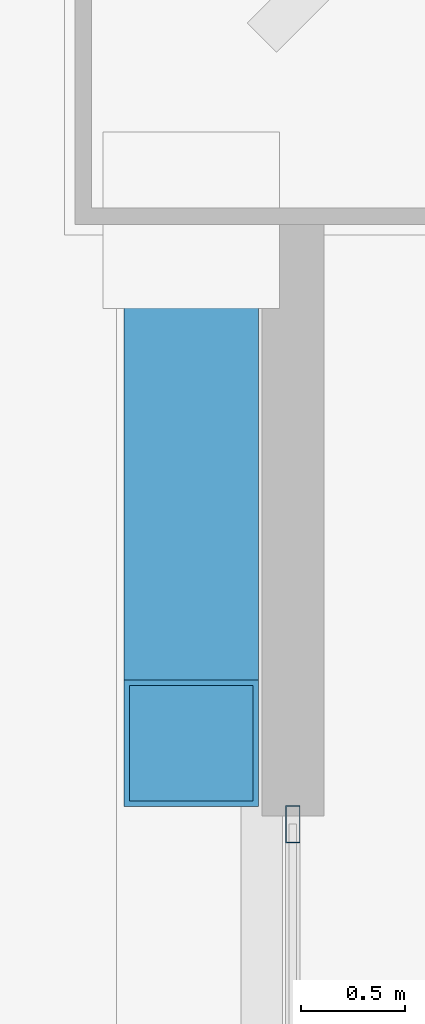
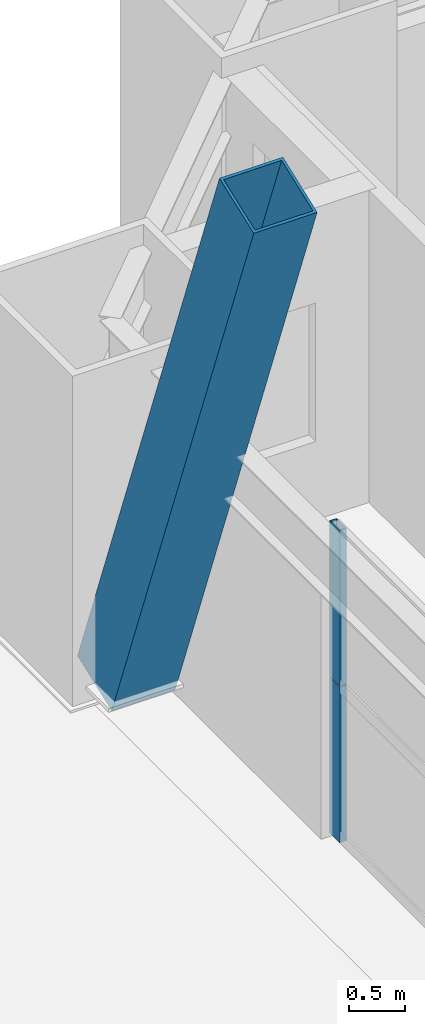
# One storey, part 23 of 45: 3 members, 1 element without a shape of its own.
"""IFC4 building model written with IfcOpenShell, lengths in metres."""

from ifc_helpers import new_model, si_unit, direction, frame, origin, origin_2d, place, context, subcontext, project, spatial, hollow_rectangle, extrude, source, transform, mapped, material, layer, layer_set, material_profile, profile_set, type_object, element, aggregate, save


model = new_model("IFC4")

# Units and contexts
model_context = context("Model", 3, precision=1e-05, world=origin(), true_north=direction((0.0, 1.0)))
body_context = subcontext(model_context, "Body", "Model", "MODEL_VIEW")
ifc_project = project(units=[si_unit("LENGTHUNIT", "METRE"), si_unit("AREAUNIT", "SQUARE_METRE"), si_unit("VOLUMEUNIT", "CUBIC_METRE"), si_unit("PLANEANGLEUNIT", "RADIAN"), si_unit("MASSUNIT", "GRAM", prefix="KILO"), si_unit("THERMODYNAMICTEMPERATUREUNIT", "KELVIN"), si_unit("POWERUNIT", "WATT")], contexts=[model_context])

# Site, building, storey
site_placement = place(None, origin())
site = spatial("IfcSite", under=ifc_project, at=site_placement, CompositionType="ELEMENT")
building_placement = place(site_placement, origin())
building = spatial("IfcBuilding", under=site, at=building_placement, Name="Yuzanri Waterfront Tower", CompositionType="ELEMENT")
storey_placement = place(building_placement, frame((0.0, 0.0, 30.60009765625)))
storey = spatial("IfcBuildingStorey", under=building, at=storey_placement, Name="L07", CompositionType="ELEMENT", Elevation=30.60009765625)

# Member
ifc_material_1 = material(Name="Steel Q420GJC", Category="steel")
ifc_material_profile_1 = material_profile(ifc_material_1, hollow_rectangle(XDim=0.64990234375, YDim=0.64990234375, WallThickness=0.028076171875, at=origin_2d()), Name="RHS 650x650x28")
ifc_profile_set_1 = profile_set([ifc_material_profile_1], Name="Steel Q420GJC")
member_type_1 = type_object("IfcMemberType", Name="Mega Brace Lower Q420GJC RHS 650x650x28", PredefinedType="BRACE", material=ifc_profile_set_1)
shared_shape_1 = source(origin(), body_context, "Body", "SweptSolid", [
    extrude(hollow_rectangle(XDim=0.64990234375, YDim=0.64990234375, WallThickness=0.028076171875, at=origin_2d()), origin(), (0.0, 0.0, 1.0), 7.158203125),
])
member_1_placement = place(storey_placement, frame((11.56005859375, 46.419921875, 0.179931640625), z_axis=(0.0, -0.352046480343, 0.935982518896), x_axis=(1.0, 0.0, 0.0)))
element("IfcMember", 1, at=member_1_placement, inside=storey, type_object=member_type_1, Name="L07-L08 Perimeter Mega-Brace W-R", PredefinedType="BRACE", context=body_context, shape_type="MappedRepresentation", body=[
    mapped(shared_shape_1, transform((0.0, 0.0, 0.0), scale=1.0)),
])

# Curtain wall, members
ifc_material_2 = material(Name="Anodized Architectural Bronze", Category="metal")
ifc_layer = layer(ifc_material_2, 0.159912109375)
ifc_layer_set = layer_set([ifc_layer], Name="Anodized Architectural Bronze")
curtain_wall_type = type_object("IfcCurtainWallType", Name="Anodized Bronze Hotel Lower-Tier Recessed Unitized Curtain Wall 8100", PredefinedType="NOTDEFINED", material=ifc_layer_set)
curtain_wall_placement = place(storey_placement, origin())
curtain_wall = element("IfcCurtainWall", 2, at=curtain_wall_placement, inside=storey, type_object=curtain_wall_type, Name="L07 Curtain Wall CW-L07-WR", PredefinedType="NOTDEFINED")
ifc_material_3 = material(Name="Anodized Architectural Bronze", Category="metal")
ifc_material_profile_2 = material_profile(ifc_material_3, hollow_rectangle(XDim=0.070068359375, YDim=0.179931640625, WallThickness=0.00390625, at=origin_2d()), Name="CWM 70x180")
ifc_profile_set_2 = profile_set([ifc_material_profile_2], Name="Anodized Architectural Bronze")
member_type_2 = type_object("IfcMemberType", Name="Anodized Bronze Standard Curtain-Wall Mullion 70x180", PredefinedType="MULLION", material=ifc_profile_set_2)
shared_shape_2 = source(origin(), body_context, "Body", "SweptSolid", [
    extrude(hollow_rectangle(XDim=0.070068359375, YDim=0.179931640625, WallThickness=0.00390625, at=origin_2d()), origin(), (0.0, 0.0, 1.0), 1.68798828125),
])
member_2_placement = place(storey_placement, frame((12.050048828125, 43.510009765625, 0.0), z_axis=(0.0, 0.0, 1.0), x_axis=(1.0, 0.0, 0.0)))
member_2 = element("IfcMember", 3, at=member_2_placement, type_object=member_type_2, Name="CW-L07-WR Lower Mullion 02", PredefinedType="MULLION", context=body_context, shape_type="MappedRepresentation", body=[
    mapped(shared_shape_2, transform((0.0, 0.0, 0.0), scale=1.0)),
])
member_3_placement = place(storey_placement, frame((12.050048828125, 43.510009765625, 1.69189453125), z_axis=(0.0, 0.0, 1.0), x_axis=(1.0, 0.0, 0.0)))
member_3 = element("IfcMember", 4, at=member_3_placement, type_object=member_type_2, Name="CW-L07-WR Upper Mullion 02", PredefinedType="MULLION", context=body_context, shape_type="MappedRepresentation", body=[
    mapped(shared_shape_2, transform((0.0, 0.0, 0.0), scale=1.0)),
])
aggregate(curtain_wall, [member_2, member_3])

save(model, "model.ifc")
